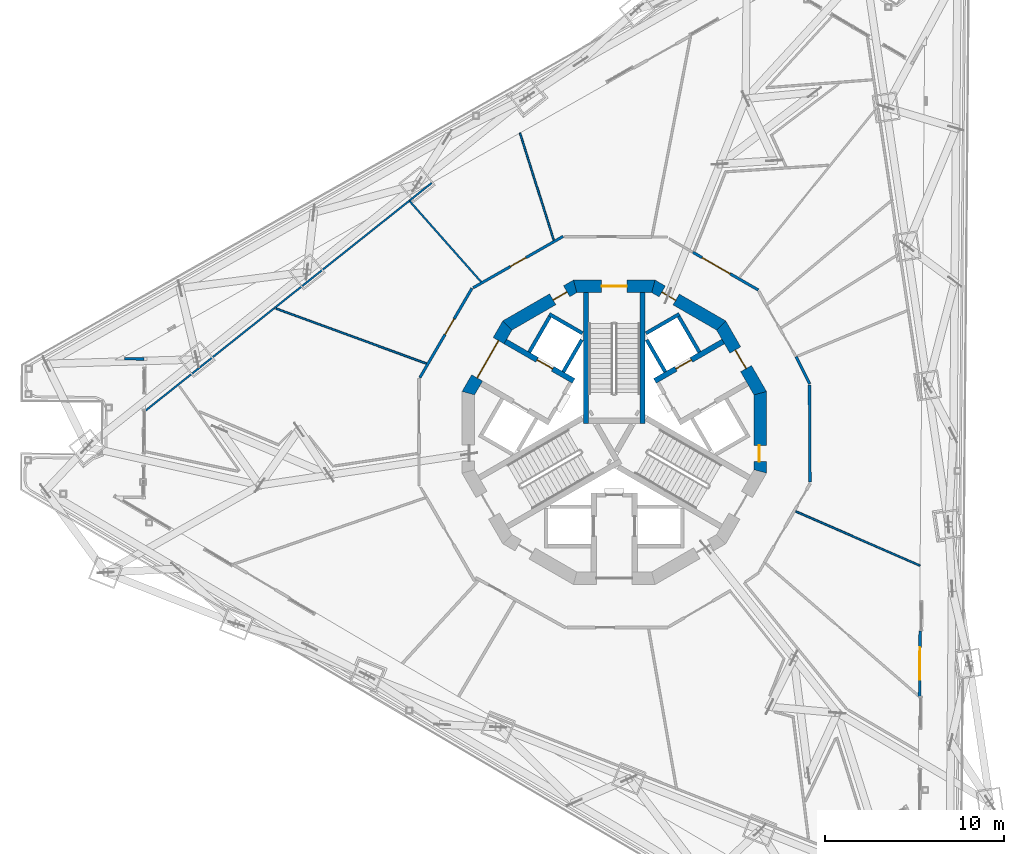
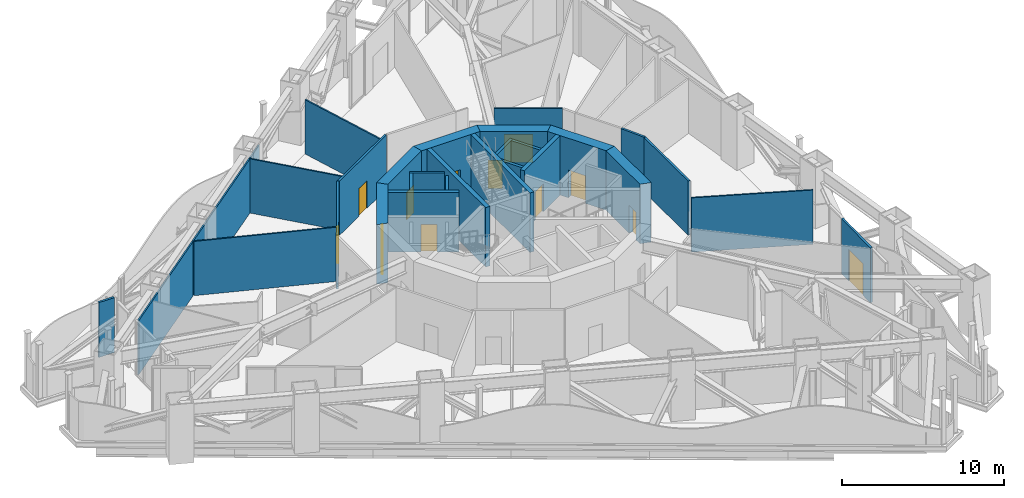
# One storey, part 14 of 27: 30 walls, 12 doors, 12 openings.
"""IFC4 building model written with IfcOpenShell, lengths in metres."""

from ifc_helpers import new_model, si_unit, direction, frame, frame_2d, origin, place, context, subcontext, project, spatial, polyline, rectangle, outline, extrude, material, layer, layer_set, type_object, element, fill, save


model = new_model("IFC4")

# Units and contexts
model_context = context("Model", 3, precision=1e-05, world=origin(), true_north=direction((0.0, 1.0)))
body_context = subcontext(model_context, "Body", "Model", "MODEL_VIEW")
ifc_project = project(units=[si_unit("LENGTHUNIT", "METRE"), si_unit("AREAUNIT", "SQUARE_METRE"), si_unit("VOLUMEUNIT", "CUBIC_METRE"), si_unit("PLANEANGLEUNIT", "RADIAN"), si_unit("MASSUNIT", "GRAM", prefix="KILO")], contexts=[model_context])

# Site, building, storey
site_placement = place(None, origin())
site = spatial("IfcSite", under=ifc_project, at=site_placement, CompositionType="ELEMENT")
building_placement = place(site_placement, origin())
building = spatial("IfcBuilding", under=site, at=building_placement, Name="Trine Commons Tower", CompositionType="ELEMENT")
storey_placement = place(building_placement, frame((0.0, 0.0, 193.5)))
storey = spatial("IfcBuildingStorey", under=building, at=storey_placement, Name="L50", CompositionType="ELEMENT", Elevation=193.5)

# Wall, opening, door
ifc_material_1 = material(Name="Plasterboard on steel stud", Category="steel")
ifc_layer_1 = layer(ifc_material_1, 0.14990234375)
ifc_layer_set_1 = layer_set([ifc_layer_1], Name="Plasterboard on steel stud")
wall_type_1 = type_object("IfcWallType", Name="Compartment wall 150 mm, EI 60", PredefinedType="PARTITIONING", material=ifc_layer_set_1)
wall_1_placement = place(storey_placement, frame((69.144775390625, 65.54931640625, 0.0), z_axis=(0.0, 0.0, 1.0), x_axis=(0.503808022723, 0.863815649453, 0.0)))
wall_1 = element("IfcWall", 1, at=wall_1_placement, inside=storey, type_object=wall_type_1, Name="Partition A50017", PredefinedType="PARTITIONING", context=body_context, shape_type="SweptSolid", body=[
    extrude(rectangle(XDim=5.78271484375, YDim=0.14990234375, at=frame_2d((2.891357421875, 0.0))), origin(), (0.0, 0.0, 1.0), 4.10009765625),
])
opening_1_placement = place(wall_1_placement, frame((2.795166015625, 0.0, 0.0)))
opening_1 = element("IfcOpeningElement", 2, at=opening_1_placement, cuts=wall_1, Name="Opening D-A5002", PredefinedType="OPENING", context=body_context, shape_type="SweptSolid", body=[
    extrude(rectangle(XDim=1.0, YDim=2.10009765625, at=frame_2d((0.5, 1.050048828125))), frame((0.0, 0.0849609375, 0.0), z_axis=(0.0, -1.0, 0.0), x_axis=(1.0, 0.0, 0.0)), (0.0, 0.0, 1.0), 0.169921875),
])
ifc_material_2 = material(Name="Timber fire door set", Category="wood")
door_type_1 = type_object("IfcDoorType", Name="Single swing door 1000x2100, FD30S", OperationType="SINGLE_SWING_LEFT", PredefinedType="DOOR", material=ifc_material_2)
door_1_placement = place(opening_1_placement, origin())
door_1 = element("IfcDoor", 3, at=door_1_placement, inside=storey, type_object=door_type_1, Name="Door D-A5002", OperationType="SINGLE_SWING_LEFT", OverallHeight=2.10009765625, OverallWidth=1.0, PredefinedType="DOOR", context=body_context, shape_type="SweptSolid", body=[
    extrude(rectangle(XDim=1.0, YDim=2.10009765625, at=frame_2d((0.5, 1.050048828125))), frame((0.0, 0.02490234375, 0.0), z_axis=(0.0, -1.0, 0.0), x_axis=(1.0, 0.0, 0.0)), (0.0, 0.0, 1.0), 0.050048828125),
])
fill(opening_1, door_1)

wall_2_placement = place(storey_placement, frame((72.123779296875, 70.568359375, 0.0), z_axis=(0.0, 0.0, 1.0), x_axis=(0.868204167493, 0.496207137743, 0.0)))
wall_2 = element("IfcWall", 4, at=wall_2_placement, inside=storey, type_object=wall_type_1, Name="Partition A50021", PredefinedType="PARTITIONING", context=body_context, shape_type="SweptSolid", body=[
    extrude(rectangle(XDim=5.78271484375, YDim=0.14990234375, at=frame_2d((2.891357421875, 0.0))), origin(), (0.0, 0.0, 1.0), 4.10009765625),
])
opening_2_placement = place(wall_2_placement, frame((2.38623046875, 0.0, 0.0)))
opening_2 = element("IfcOpeningElement", 5, at=opening_2_placement, cuts=wall_2, Name="Opening D-A5005", PredefinedType="OPENING", context=body_context, shape_type="SweptSolid", body=[
    extrude(rectangle(XDim=1.0, YDim=2.10009765625, at=frame_2d((0.5, 1.050048828125))), frame((0.0, 0.0849609375, 0.0), z_axis=(0.0, -1.0, 0.0), x_axis=(1.0, 0.0, 0.0)), (0.0, 0.0, 1.0), 0.169921875),
])
door_2_placement = place(opening_2_placement, origin())
door_2 = element("IfcDoor", 6, at=door_2_placement, inside=storey, type_object=door_type_1, Name="Door D-A5005", OperationType="SINGLE_SWING_LEFT", OverallHeight=2.10009765625, OverallWidth=1.0, PredefinedType="DOOR", context=body_context, shape_type="SweptSolid", body=[
    extrude(rectangle(XDim=1.0, YDim=2.10009765625, at=frame_2d((0.5, 1.050048828125))), frame((0.0, 0.02490234375, 0.0), z_axis=(0.0, -1.0, 0.0), x_axis=(1.0, 0.0, 0.0)), (0.0, 0.0, 1.0), 0.050048828125),
])
fill(opening_2, door_2)

wall_3_placement = place(storey_placement, frame((88.04443359375, 70.44189453125, 0.0), z_axis=(0.0, 0.0, 1.0), x_axis=(-0.866009274789, 0.500027935199, 0.0)))
wall_3 = element("IfcWall", 7, at=wall_3_placement, inside=storey, type_object=wall_type_1, Name="Partition A50033", PredefinedType="PARTITIONING", context=body_context, shape_type="SweptSolid", body=[
    extrude(rectangle(XDim=4.219970703125, YDim=0.14990234375, at=frame_2d((2.10986328125, 0.0))), origin(), (0.0, 0.0, 1.0), 4.10009765625),
])
opening_3_placement = place(wall_3_placement, frame((1.822021484375, 0.0, 0.0)))
opening_3 = element("IfcOpeningElement", 8, at=opening_3_placement, cuts=wall_3, Name="Opening D-A5009", PredefinedType="OPENING", context=body_context, shape_type="SweptSolid", body=[
    extrude(rectangle(XDim=1.800048828125, YDim=2.10009765625, at=frame_2d((0.89990234375, 1.050048828125))), frame((0.0, 0.0849609375, 0.0), z_axis=(0.0, -1.0, 0.0), x_axis=(1.0, 0.0, 0.0)), (0.0, 0.0, 1.0), 0.169921875),
])
door_type_2 = type_object("IfcDoorType", Name="Double swing door 1800x2100, FD30S", OperationType="DOUBLE_DOOR_DOUBLE_SWING", PredefinedType="DOOR", material=ifc_material_2)
door_3_placement = place(opening_3_placement, origin())
door_3 = element("IfcDoor", 9, at=door_3_placement, inside=storey, type_object=door_type_2, Name="Door D-A5009", OperationType="DOUBLE_DOOR_DOUBLE_SWING", OverallHeight=2.10009765625, OverallWidth=1.800048828125, PredefinedType="DOOR", context=body_context, shape_type="SweptSolid", body=[
    extrude(rectangle(XDim=1.800048828125, YDim=2.10009765625, at=frame_2d((0.89990234375, 1.050048828125))), frame((0.0, 0.02490234375, 0.0), z_axis=(0.0, -1.0, 0.0), x_axis=(1.0, 0.0, 0.0)), (0.0, 0.0, 1.0), 0.050048828125),
])
fill(opening_3, door_3)

# Walls
wall_4_placement = place(storey_placement, frame((90.15185546875, 66.716796875, 0.0), z_axis=(0.0, 0.0, 1.0), x_axis=(0.450392730838, -0.892830548317, 0.0)))
element("IfcWall", 10, at=wall_4_placement, inside=storey, type_object=wall_type_1, Name="Partition A50056", PredefinedType="PARTITIONING", context=body_context, shape_type="SweptSolid", body=[
    extrude(rectangle(XDim=1.68798828125, YDim=0.14990234375, at=frame_2d((0.843994140625, 0.0))), origin(), (0.0, 0.0, 1.0), 4.10009765625),
])
wall_5_placement = place(storey_placement, frame((90.925537109375, 59.713134765625, 0.0), z_axis=(0.0, 0.0, 1.0), x_axis=(-0.004677890522, 0.99998905861, 0.0)))
element("IfcWall", 11, at=wall_5_placement, inside=storey, type_object=wall_type_1, Name="Partition A50058", PredefinedType="PARTITIONING", context=body_context, shape_type="SweptSolid", body=[
    extrude(rectangle(XDim=5.427734375, YDim=0.14990234375, at=frame_2d((2.7138671875, 0.0))), origin(), (0.0, 0.0, 1.0), 4.10009765625),
])

# Wall, opening, door
ifc_material_3 = material(Name="Aluminium-framed insulated wall panel", Category="aluminium")
ifc_layer_2 = layer(ifc_material_3, 0.14990234375)
ifc_layer_set_2 = layer_set([ifc_layer_2], Name="Aluminium-framed insulated wall panel")
wall_type_2 = type_object("IfcWallType", Name="Glazed entrance wall 150, EI 60", PredefinedType="SOLIDWALL", material=ifc_layer_set_2)
wall_6_placement = place(storey_placement, frame((97.076416015625, 51.40869140625, 0.0), z_axis=(0.0, 0.0, 1.0), x_axis=(-0.008702308036, -0.999962134201, 0.0)))
wall_6 = element("IfcWall", 12, at=wall_6_placement, inside=storey, type_object=wall_type_2, Name="Glazed entrance wall L50 F2 10", PredefinedType="SOLIDWALL", context=body_context, shape_type="SweptSolid", body=[
    extrude(rectangle(XDim=3.647216796875, YDim=0.14990234375, at=frame_2d((1.82373046875, 0.0))), origin(), (0.0, 0.0, 1.0), 4.14990234375),
])
opening_4_placement = place(wall_6_placement, frame((0.923583984375, 0.0, 0.0)))
opening_4 = element("IfcOpeningElement", 13, at=opening_4_placement, cuts=wall_6, Name="Opening SD-L50-F2-10", PredefinedType="OPENING", context=body_context, shape_type="SweptSolid", body=[
    extrude(rectangle(XDim=1.800048828125, YDim=2.39990234375, at=frame_2d((0.89990234375, 1.199951171875))), frame((0.0, 0.0849609375, 0.0), z_axis=(0.0, -1.0, 0.0), x_axis=(1.0, 0.0, 0.0)), (0.0, 0.0, 1.0), 0.169921875),
])
ifc_material_4 = material(Name="Anodised aluminium frame with double glazing", Category="aluminium")
door_type_3 = type_object("IfcDoorType", Name="Sliding double door 1800x2400", OperationType="DOUBLE_DOOR_SLIDING", PredefinedType="DOOR", material=ifc_material_4)
door_4_placement = place(opening_4_placement, origin())
door_4 = element("IfcDoor", 14, at=door_4_placement, inside=storey, type_object=door_type_3, Name="Loggia door L50 F2 10", OperationType="DOUBLE_DOOR_SLIDING", OverallHeight=2.39990234375, OverallWidth=1.800048828125, PredefinedType="DOOR", context=body_context, shape_type="SweptSolid", body=[
    extrude(rectangle(XDim=1.800048828125, YDim=2.39990234375, at=frame_2d((0.89990234375, 1.199951171875))), frame((0.0, 0.02490234375, 0.0), z_axis=(0.0, -1.0, 0.0), x_axis=(1.0, 0.0, 0.0)), (0.0, 0.0, 1.0), 0.050048828125),
])
fill(opening_4, door_4)

# Walls
ifc_layer_3 = layer(ifc_material_3, 0.14990234375)
ifc_layer_set_3 = layer_set([ifc_layer_3], Name="Aluminium-framed insulated wall panel")
wall_type_3 = type_object("IfcWallType", Name="Glazed frame wall 150, EI 60", PredefinedType="SOLIDWALL", material=ifc_layer_set_3)
wall_7_placement = place(storey_placement, frame((53.859619140625, 66.59326171875, 0.0), z_axis=(0.0, 0.0, 1.0), x_axis=(-0.999962043845, 0.008712684354, 0.0)))
element("IfcWall", 15, at=wall_7_placement, inside=storey, type_object=wall_type_3, Name="Glazed frame wall L50 R3", PredefinedType="SOLIDWALL", context=body_context, shape_type="SweptSolid", body=[
    extrude(outline(polyline([(0.110107421875, 0.074951171875), (0.110107421875, -0.074951171875), (1.19580078125, -0.074951171875), (1.19580078125, 0.074951171875), (0.110107421875, 0.074951171875)])), origin(), (0.0, 0.0, 1.0), 4.14990234375),
])
ifc_layer_4 = layer(ifc_material_1, 0.10009765625)
ifc_layer_set_4 = layer_set([ifc_layer_4], Name="Plasterboard on steel stud")
wall_type_4 = type_object("IfcWallType", Name="Partition wall 100 mm stud, not rated", PredefinedType="PARTITIONING", material=ifc_layer_set_4)
wall_8_placement = place(storey_placement, frame((53.836669921875, 63.71826171875, 0.0), z_axis=(0.0, 0.0, 1.0), x_axis=(0.782602525116, 0.622521716635, 0.0)))
element("IfcWall", 16, at=wall_8_placement, inside=storey, type_object=wall_type_4, Name="Partition A50002", PredefinedType="PARTITIONING", context=body_context, shape_type="SweptSolid", body=[
    extrude(rectangle(XDim=9.188720703125, YDim=0.10009765625, at=frame_2d((4.59423828125, 0.0))), origin(), (0.0, 0.0, 1.0), 4.10009765625),
])
wall_9_placement = place(storey_placement, frame((61.11328125, 69.4091796875, 0.0), z_axis=(0.0, 0.0, 1.0), x_axis=(0.939128212497, -0.343566879213, 0.0)))
element("IfcWall", 17, at=wall_9_placement, inside=storey, type_object=wall_type_4, Name="Partition A50006", PredefinedType="PARTITIONING", context=body_context, shape_type="SweptSolid", body=[
    extrude(rectangle(XDim=8.960693359375, YDim=0.10009765625, at=frame_2d((4.48046875, 0.0))), origin(), (0.0, 0.0, 1.0), 4.10009765625),
])
wall_10_placement = place(storey_placement, frame((61.03125, 69.441162109375, 0.0), z_axis=(0.0, 0.0, 1.0), x_axis=(0.782602460015, 0.622521798477, 0.0)))
element("IfcWall", 18, at=wall_10_placement, inside=storey, type_object=wall_type_4, Name="Partition A50007", PredefinedType="PARTITIONING", context=body_context, shape_type="SweptSolid", body=[
    extrude(rectangle(XDim=9.6142578125, YDim=0.10009765625, at=frame_2d((4.80712890625, 0.0))), origin(), (0.0, 0.0, 1.0), 4.10009765625),
])
wall_11_placement = place(storey_placement, frame((68.592041015625, 75.387939453125, 0.0), z_axis=(0.0, 0.0, 1.0), x_axis=(0.662817003466, -0.748781423324, 0.0)))
element("IfcWall", 19, at=wall_11_placement, inside=storey, type_object=wall_type_4, Name="Partition A50012", PredefinedType="PARTITIONING", context=body_context, shape_type="SweptSolid", body=[
    extrude(rectangle(XDim=6.0009765625, YDim=0.10009765625, at=frame_2d((3.00048828125, 0.0))), origin(), (0.0, 0.0, 1.0), 4.10009765625),
])
wall_12_placement = place(storey_placement, frame((68.55859375, 75.4287109375, 0.0), z_axis=(0.0, 0.0, 1.0), x_axis=(0.782616336967, 0.622504352685, 0.0)))
element("IfcWall", 20, at=wall_12_placement, inside=storey, type_object=wall_type_4, Name="Partition A50013", PredefinedType="PARTITIONING", context=body_context, shape_type="SweptSolid", body=[
    extrude(rectangle(XDim=1.591796875, YDim=0.10009765625, at=frame_2d((0.7958984375, 0.0))), origin(), (0.0, 0.0, 1.0), 4.10009765625),
])
wall_13_placement = place(storey_placement, frame((74.735595703125, 79.211669921875, 0.0), z_axis=(0.0, 0.0, 1.0), x_axis=(0.300467657101, -0.953792004074, 0.0)))
element("IfcWall", 21, at=wall_13_placement, inside=storey, type_object=wall_type_4, Name="Partition A50023", PredefinedType="PARTITIONING", context=body_context, shape_type="SweptSolid", body=[
    extrude(rectangle(XDim=6.267822265625, YDim=0.10009765625, at=frame_2d((3.1337890625, 0.0))), origin(), (0.0, 0.0, 1.0), 4.10009765625),
])
wall_14_placement = place(storey_placement, frame((90.129638671875, 58.08349609375, 0.0), z_axis=(0.0, 0.0, 1.0), x_axis=(0.916664782123, -0.399656949415, 0.0)))
element("IfcWall", 22, at=wall_14_placement, inside=storey, type_object=wall_type_4, Name="Partition A50055", PredefinedType="PARTITIONING", context=body_context, shape_type="SweptSolid", body=[
    extrude(rectangle(XDim=7.574951171875, YDim=0.10009765625, at=frame_2d((3.78759765625, 0.0))), origin(), (0.0, 0.0, 1.0), 4.10009765625),
])

# Wall, opening, door
ifc_material_5 = material(Name="Concrete C60/75", Category="concrete")
ifc_layer_5 = layer(ifc_material_5, 0.300048828125)
ifc_layer_set_5 = layer_set([ifc_layer_5], Name="Concrete C60/75")
wall_type_5 = type_object("IfcWallType", Name="RC shear wall 300 mm, C60/75", PredefinedType="SHEAR", material=ifc_layer_set_5)
wall_15_placement = place(storey_placement, frame((77.73095703125, 65.368896484375, 0.0), z_axis=(0.0, 0.0, 1.0), x_axis=(-0.866035918664, 0.499981787252, 0.0)))
wall_15 = element("IfcWall", 23, at=wall_15_placement, inside=storey, type_object=wall_type_5, Name="Core cross wall SWC-02 L50", PredefinedType="SHEAR", context=body_context, shape_type="SweptSolid", body=[
    extrude(rectangle(XDim=4.400634765625, YDim=0.300048828125, at=frame_2d((2.2001953125, 0.0))), origin(), (0.0, 0.0, 1.0), 4.5),
])
opening_5_placement = place(wall_15_placement, frame((1.3505859375, 0.0, 0.0)))
opening_5 = element("IfcOpeningElement", 24, at=opening_5_placement, cuts=wall_15, Name="Opening LD8", PredefinedType="OPENING", context=body_context, shape_type="SweptSolid", body=[
    extrude(rectangle(XDim=1.0, YDim=2.10009765625, at=frame_2d((0.5, 1.050048828125))), frame((0.0, 0.159912109375, 0.0), z_axis=(0.0, -1.0, 0.0), x_axis=(1.0, 0.0, 0.0)), (0.0, 0.0, 1.0), 0.320068359375),
])
ifc_material_6 = material(Name="Stainless steel sliding door leaves", Category="steel")
door_type_4 = type_object("IfcDoorType", Name="Lift landing door, centre-opening sliding 1000 x 2100, FD90", OperationType="DOUBLE_DOOR_SLIDING", PredefinedType="DOOR", material=ifc_material_6)
door_5_placement = place(opening_5_placement, origin())
door_5 = element("IfcDoor", 25, at=door_5_placement, inside=storey, type_object=door_type_4, Name="Lift landing door HR4 L50", OperationType="DOUBLE_DOOR_SLIDING", OverallHeight=2.10009765625, OverallWidth=1.0, PredefinedType="DOOR", context=body_context, shape_type="SweptSolid", body=[
    extrude(rectangle(XDim=1.0, YDim=2.10009765625, at=frame_2d((0.5, 1.050048828125))), frame((0.0, 0.02490234375, 0.0), z_axis=(0.0, -1.0, 0.0), x_axis=(1.0, 0.0, 0.0)), (0.0, 0.0, 1.0), 0.050048828125),
])
fill(opening_5, door_5)

wall_16_placement = place(storey_placement, frame((82.26904296875, 65.368896484375, 0.0), z_axis=(0.0, 0.0, 1.0), x_axis=(0.866035918664, 0.499981787252, 0.0)))
wall_16 = element("IfcWall", 26, at=wall_16_placement, inside=storey, type_object=wall_type_5, Name="Core cross wall SWC-05 L50", PredefinedType="SHEAR", context=body_context, shape_type="SweptSolid", body=[
    extrude(rectangle(XDim=4.400634765625, YDim=0.300048828125, at=frame_2d((2.2001953125, 0.0))), origin(), (0.0, 0.0, 1.0), 4.5),
])
opening_6_placement = place(wall_16_placement, frame((1.3505859375, 0.0, 0.0)))
opening_6 = element("IfcOpeningElement", 27, at=opening_6_placement, cuts=wall_16, Name="Opening LD5", PredefinedType="OPENING", context=body_context, shape_type="SweptSolid", body=[
    extrude(rectangle(XDim=1.0, YDim=2.10009765625, at=frame_2d((0.5, 1.050048828125))), frame((0.0, 0.159912109375, 0.0), z_axis=(0.0, -1.0, 0.0), x_axis=(1.0, 0.0, 0.0)), (0.0, 0.0, 1.0), 0.320068359375),
])
door_6_placement = place(opening_6_placement, origin())
door_6 = element("IfcDoor", 28, at=door_6_placement, inside=storey, type_object=door_type_4, Name="Lift landing door HR1 L50", OperationType="DOUBLE_DOOR_SLIDING", OverallHeight=2.10009765625, OverallWidth=1.0, PredefinedType="DOOR", context=body_context, shape_type="SweptSolid", body=[
    extrude(rectangle(XDim=1.0, YDim=2.10009765625, at=frame_2d((0.5, 1.050048828125))), frame((0.0, 0.02490234375, 0.0), z_axis=(0.0, -1.0, 0.0), x_axis=(1.0, 0.0, 0.0)), (0.0, 0.0, 1.0), 0.050048828125),
])
fill(opening_6, door_6)

# Walls
for number, where, z_axis, x_axis, name in (
    (29, (78.425048828125, 63.0009765625, 0.0), (0.0, 0.0, 1.0), (0.0, 1.0, 0.0), "Core cross wall SWC-08 L50"),
    (30, (81.574951171875, 63.0009765625, 0.0), (0.0, 0.0, 1.0), (0.0, 1.0, 0.0), "Core cross wall SWC-17 L50"),
):
    element("IfcWall", number, at=place(storey_placement, frame(where, z_axis=z_axis, x_axis=x_axis)), inside=storey, type_object=wall_type_5, Name=name, PredefinedType="SHEAR", context=body_context, shape_type="SweptSolid", body=[
        extrude(rectangle(XDim=7.299072265625, YDim=0.300048828125, at=frame_2d((3.6494140625, 0.0))), origin(), (0.0, 0.0, 1.0), 4.5),
    ])

# Wall, opening, door
ifc_layer_6 = layer(ifc_material_5, 0.699951171875)
ifc_layer_set_6 = layer_set([ifc_layer_6], Name="Concrete C60/75")
wall_type_6 = type_object("IfcWallType", Name="RC shear wall 700 mm, C60/75", PredefinedType="SHEAR", material=ifc_layer_set_6)
wall_17_placement = place(storey_placement, frame((88.150146484375, 60.222412109375, 0.0), z_axis=(0.0, 0.0, 1.0), x_axis=(0.0, 1.0, 0.0)))
wall_17 = element("IfcWall", 31, at=wall_17_placement, inside=storey, type_object=wall_type_6, Name="Core wall CWF-01 L50", PredefinedType="SHEAR", context=body_context, shape_type="SweptSolid", body=[
    extrude(outline(polyline([(0.0, -0.35009765625), (4.55517578125, -0.35009765625), (4.36767578125, 0.35009765625), (0.1875, 0.35009765625), (0.0, -0.35009765625)])), origin(), (0.0, 0.0, 1.0), 4.5),
])
opening_7_placement = place(wall_17_placement, frame((0.6416015625, 0.0, 0.0)))
opening_7 = element("IfcOpeningElement", 32, at=opening_7_placement, cuts=wall_17, Name="Opening K14.15", PredefinedType="OPENING", context=body_context, shape_type="SweptSolid", body=[
    extrude(rectangle(XDim=0.89990234375, YDim=2.10009765625, at=frame_2d((0.449951171875, 1.050048828125))), frame((0.0, 0.35986328125, 0.0), z_axis=(0.0, -1.0, 0.0), x_axis=(1.0, 0.0, 0.0)), (0.0, 0.0, 1.0), 0.719970703125),
])
ifc_material_7 = material(Name="Steel door leaf, fire-rated", Category="steel")
door_type_5 = type_object("IfcDoorType", Name="Core room door, single leaf 900 x 2100, FD30S", OperationType="SINGLE_SWING_LEFT", PredefinedType="DOOR", material=ifc_material_7)
door_7_placement = place(opening_7_placement, origin())
door_7 = element("IfcDoor", 33, at=door_7_placement, inside=storey, type_object=door_type_5, Name="Door to Accessible WC L50", OperationType="SINGLE_SWING_LEFT", OverallHeight=2.10009765625, OverallWidth=0.89990234375, PredefinedType="DOOR", context=body_context, shape_type="SweptSolid", body=[
    extrude(rectangle(XDim=0.89990234375, YDim=2.10009765625, at=frame_2d((0.449951171875, 1.050048828125))), frame((0.0, 0.0751953125, 0.0), z_axis=(0.0, -1.0, 0.0), x_axis=(1.0, 0.0, 0.0)), (0.0, 0.0, 1.0), 0.050048828125),
])
fill(opening_7, door_7)

wall_18_placement = place(storey_placement, frame((88.197021484375, 64.6025390625, 0.0), z_axis=(0.0, 0.0, 1.0), x_axis=(-0.499983800959, 0.866034756103, 0.0)))
wall_18 = element("IfcWall", 34, at=wall_18_placement, inside=storey, type_object=wall_type_6, Name="Core wall CWF-02 L50", PredefinedType="SHEAR", context=body_context, shape_type="SweptSolid", body=[
    extrude(outline(polyline([(0.0, -0.35009765625), (4.55517578125, -0.35009765625), (4.36767578125, 0.35009765625), (0.1875, 0.35009765625), (0.0, -0.35009765625)])), origin(), (0.0, 0.0, 1.0), 4.5),
])
opening_8_placement = place(wall_18_placement, frame((1.677490234375, 0.0, 0.0)))
opening_8 = element("IfcOpeningElement", 35, at=opening_8_placement, cuts=wall_18, Name="Opening K14.04", PredefinedType="OPENING", context=body_context, shape_type="SweptSolid", body=[
    extrude(rectangle(XDim=1.199951171875, YDim=2.10009765625, at=frame_2d((0.60009765625, 1.050048828125))), frame((0.0, 0.35986328125, 0.0), z_axis=(0.0, -1.0, 0.0), x_axis=(1.0, 0.0, 0.0)), (0.0, 0.0, 1.0), 0.719970703125),
])
ifc_material_8 = material(Name="Steel door leaves, fire-rated", Category="steel")
door_type_6 = type_object("IfcDoorType", Name="Lobby door, double leaf 1200 x 2100, FD60", OperationType="DOUBLE_DOOR_SINGLE_SWING", PredefinedType="DOOR", material=ifc_material_8)
door_8_placement = place(opening_8_placement, origin())
door_8 = element("IfcDoor", 36, at=door_8_placement, inside=storey, type_object=door_type_6, Name="Lobby door, Passenger lift lobby A L50", OperationType="DOUBLE_DOOR_SINGLE_SWING", OverallHeight=2.10009765625, OverallWidth=1.199951171875, PredefinedType="DOOR", context=body_context, shape_type="SweptSolid", body=[
    extrude(rectangle(XDim=1.199951171875, YDim=2.10009765625, at=frame_2d((0.60009765625, 1.050048828125))), frame((0.0, 0.02490234375, 0.0), z_axis=(0.0, -1.0, 0.0), x_axis=(1.0, 0.0, 0.0)), (0.0, 0.0, 1.0), 0.050048828125),
])
fill(opening_8, door_8)

wall_19_placement = place(storey_placement, frame((86.047607421875, 68.41943359375, 0.0), z_axis=(0.0, 0.0, 1.0), x_axis=(-0.866034756103, 0.499983800959, 0.0)))
wall_19 = element("IfcWall", 37, at=wall_19_placement, inside=storey, type_object=wall_type_6, Name="Core wall CWF-03 L50", PredefinedType="SHEAR", context=body_context, shape_type="SweptSolid", body=[
    extrude(outline(polyline([(0.0, -0.35009765625), (4.55517578125, -0.35009765625), (4.36767578125, 0.35009765625), (0.1875, 0.35009765625), (0.0, -0.35009765625)])), origin(), (0.0, 0.0, 1.0), 4.5),
])
opening_9_placement = place(wall_19_placement, frame((2.990966796875, 0.0, 0.0)))
opening_9 = element("IfcOpeningElement", 38, at=opening_9_placement, cuts=wall_19, Name="Opening K14.10", PredefinedType="OPENING", context=body_context, shape_type="SweptSolid", body=[
    extrude(rectangle(XDim=0.89990234375, YDim=2.10009765625, at=frame_2d((0.449951171875, 1.050048828125))), frame((0.0, 0.35986328125, 0.0), z_axis=(0.0, -1.0, 0.0), x_axis=(1.0, 0.0, 0.0)), (0.0, 0.0, 1.0), 0.719970703125),
])
door_9_placement = place(opening_9_placement, origin())
door_9 = element("IfcDoor", 39, at=door_9_placement, inside=storey, type_object=door_type_5, Name="Door to Core WC L50", OperationType="SINGLE_SWING_RIGHT", OverallHeight=2.10009765625, OverallWidth=0.89990234375, PredefinedType="DOOR", context=body_context, shape_type="SweptSolid", body=[
    extrude(rectangle(XDim=0.89990234375, YDim=2.10009765625, at=frame_2d((0.449951171875, 1.050048828125))), frame((0.0, 0.0751953125, 0.0), z_axis=(0.0, -1.0, 0.0), x_axis=(1.0, 0.0, 0.0)), (0.0, 0.0, 1.0), 0.050048828125),
])
fill(opening_9, door_9)

wall_20_placement = place(storey_placement, frame((82.277587890625, 70.650146484375, 0.0), z_axis=(0.0, 0.0, 1.0), x_axis=(-1.0, 0.0, 0.0)))
wall_20 = element("IfcWall", 40, at=wall_20_placement, inside=storey, type_object=wall_type_6, Name="Core wall CWF-04 L50", PredefinedType="SHEAR", context=body_context, shape_type="SweptSolid", body=[
    extrude(outline(polyline([(0.0, -0.35009765625), (4.55517578125, -0.35009765625), (4.36767578125, 0.35009765625), (0.1875, 0.35009765625), (0.0, -0.35009765625)])), origin(), (0.0, 0.0, 1.0), 4.5),
])
opening_10_placement = place(wall_20_placement, frame((1.57763671875, 0.0, 0.0)))
opening_10 = element("IfcOpeningElement", 41, at=opening_10_placement, cuts=wall_20, Name="Opening K14.01", PredefinedType="OPENING", context=body_context, shape_type="SweptSolid", body=[
    extrude(rectangle(XDim=1.39990234375, YDim=2.10009765625, at=frame_2d((0.699951171875, 1.050048828125))), frame((0.0, 0.35986328125, 0.0), z_axis=(0.0, -1.0, 0.0), x_axis=(1.0, 0.0, 0.0)), (0.0, 0.0, 1.0), 0.719970703125),
])
door_type_7 = type_object("IfcDoorType", Name="Stair door, double leaf 1400 x 2100, FD90", OperationType="DOUBLE_DOOR_SINGLE_SWING", PredefinedType="DOOR", material=ifc_material_8)
door_10_placement = place(opening_10_placement, origin())
door_10 = element("IfcDoor", 42, at=door_10_placement, inside=storey, type_object=door_type_7, Name="Stair door to Exit stair ST1C L50", OperationType="DOUBLE_DOOR_SINGLE_SWING", OverallHeight=2.10009765625, OverallWidth=1.39990234375, PredefinedType="DOOR", context=body_context, shape_type="SweptSolid", body=[
    extrude(rectangle(XDim=1.39990234375, YDim=2.10009765625, at=frame_2d((0.699951171875, 1.050048828125))), frame((0.0, 0.02490234375, 0.0), z_axis=(0.0, -1.0, 0.0), x_axis=(1.0, 0.0, 0.0)), (0.0, 0.0, 1.0), 0.050048828125),
])
fill(opening_10, door_10)

wall_21_placement = place(storey_placement, frame((77.8974609375, 70.697021484375, 0.0), z_axis=(0.0, 0.0, 1.0), x_axis=(-0.866034756103, -0.499983800959, 0.0)))
wall_21 = element("IfcWall", 43, at=wall_21_placement, inside=storey, type_object=wall_type_6, Name="Core wall CWF-05 L50", PredefinedType="SHEAR", context=body_context, shape_type="SweptSolid", body=[
    extrude(outline(polyline([(0.0, -0.35009765625), (4.55517578125, -0.35009765625), (4.36767578125, 0.35009765625), (0.1875, 0.35009765625), (0.0, -0.35009765625)])), origin(), (0.0, 0.0, 1.0), 4.5),
])
opening_11_placement = place(wall_21_placement, frame((0.641845703125, 0.0, 0.0)))
opening_11 = element("IfcOpeningElement", 44, at=opening_11_placement, cuts=wall_21, Name="Opening K14.11", PredefinedType="OPENING", context=body_context, shape_type="SweptSolid", body=[
    extrude(rectangle(XDim=0.89990234375, YDim=2.10009765625, at=frame_2d((0.449951171875, 1.050048828125))), frame((0.0, 0.35986328125, 0.0), z_axis=(0.0, -1.0, 0.0), x_axis=(1.0, 0.0, 0.0)), (0.0, 0.0, 1.0), 0.719970703125),
])
door_11_placement = place(opening_11_placement, origin())
door_11 = element("IfcDoor", 45, at=door_11_placement, inside=storey, type_object=door_type_5, Name="Door to Accessible WC L50", OperationType="SINGLE_SWING_LEFT", OverallHeight=2.10009765625, OverallWidth=0.89990234375, PredefinedType="DOOR", context=body_context, shape_type="SweptSolid", body=[
    extrude(rectangle(XDim=0.89990234375, YDim=2.10009765625, at=frame_2d((0.449951171875, 1.050048828125))), frame((0.0, 0.0751953125, 0.0), z_axis=(0.0, -1.0, 0.0), x_axis=(1.0, 0.0, 0.0)), (0.0, 0.0, 1.0), 0.050048828125),
])
fill(opening_11, door_11)

wall_22_placement = place(storey_placement, frame((74.08056640625, 68.547607421875, 0.0), z_axis=(0.0, 0.0, 1.0), x_axis=(-0.499983800959, -0.866034756103, 0.0)))
wall_22 = element("IfcWall", 46, at=wall_22_placement, inside=storey, type_object=wall_type_6, Name="Core wall CWF-06 L50", PredefinedType="SHEAR", context=body_context, shape_type="SweptSolid", body=[
    extrude(outline(polyline([(0.0, -0.35009765625), (4.55517578125, -0.35009765625), (4.36767578125, 0.35009765625), (0.1875, 0.35009765625), (0.0, -0.35009765625)])), origin(), (0.0, 0.0, 1.0), 4.5),
])
opening_12_placement = place(wall_22_placement, frame((1.077392578125, 0.0, 0.0)))
opening_12 = element("IfcOpeningElement", 47, at=opening_12_placement, cuts=wall_22, Name="Opening K14.06", PredefinedType="OPENING", context=body_context, shape_type="SweptSolid", body=[
    extrude(rectangle(XDim=2.39990234375, YDim=2.10009765625, at=frame_2d((1.199951171875, 1.050048828125))), frame((0.0, 0.35986328125, 0.0), z_axis=(0.0, -1.0, 0.0), x_axis=(1.0, 0.0, 0.0)), (0.0, 0.0, 1.0), 0.719970703125),
])
door_type_8 = type_object("IfcDoorType", Name="Lobby door, double leaf 2400 x 2100, FD60", OperationType="DOUBLE_DOOR_SINGLE_SWING", PredefinedType="DOOR", material=ifc_material_8)
door_12_placement = place(opening_12_placement, origin())
door_12 = element("IfcDoor", 48, at=door_12_placement, inside=storey, type_object=door_type_8, Name="Lobby door, Passenger lift lobby B L50", OperationType="DOUBLE_DOOR_SINGLE_SWING", OverallHeight=2.10009765625, OverallWidth=2.39990234375, PredefinedType="DOOR", context=body_context, shape_type="SweptSolid", body=[
    extrude(rectangle(XDim=2.39990234375, YDim=2.10009765625, at=frame_2d((1.199951171875, 1.050048828125))), frame((0.0, 0.02490234375, 0.0), z_axis=(0.0, -1.0, 0.0), x_axis=(1.0, 0.0, 0.0)), (0.0, 0.0, 1.0), 0.050048828125),
])
fill(opening_12, door_12)

# Walls
ifc_material_9 = material(Name="Fire-rated gypsum shaft wall system")
ifc_layer_7 = layer(ifc_material_9, 0.199951171875)
ifc_layer_set_7 = layer_set([ifc_layer_7], Name="Fire-rated gypsum shaft wall system")
wall_type_7 = type_object("IfcWallType", Name="Shaft wall 200 mm, EI 120", PredefinedType="PARTITIONING", material=ifc_layer_set_7)
wall_23_placement = place(storey_placement, frame((75.2509765625, 66.97412109375, 0.0), z_axis=(0.0, 0.0, 1.0), x_axis=(0.500136062276, 0.86594683394, 0.0)))
element("IfcWall", 49, at=wall_23_placement, inside=storey, type_object=wall_type_7, Name="Shaft wall L50", PredefinedType="PARTITIONING", context=body_context, shape_type="SweptSolid", body=[
    extrude(rectangle(XDim=2.299072265625, YDim=0.199951171875, at=frame_2d((1.1494140625, 0.0))), origin(), (0.0, 0.0, 1.0), 4.14990234375),
])
wall_24_placement = place(storey_placement, frame((77.156005859375, 65.8740234375, 0.0), z_axis=(0.0, 0.0, 1.0), x_axis=(0.499865770674, 0.866102887253, 0.0)))
element("IfcWall", 50, at=wall_24_placement, inside=storey, type_object=wall_type_7, Name="Shaft wall L50", PredefinedType="PARTITIONING", context=body_context, shape_type="SweptSolid", body=[
    extrude(rectangle(XDim=2.064453125, YDim=0.199951171875, at=frame_2d((1.0322265625, 0.0))), origin(), (0.0, 0.0, 1.0), 4.14990234375),
])
for number, where, z_axis, x_axis, name in (
    (51, (78.22509765625, 68.028076171875, 0.0), (0.0, 0.0, 1.0), (-0.866130725101, 0.499817533742, 0.0), "Shaft wall L50"),
    (52, (81.77490234375, 68.028076171875, 0.0), (0.0, 0.0, 1.0), (0.866130725101, 0.499817533742, 0.0), "Shaft wall L50"),
):
    element("IfcWall", number, at=place(storey_placement, frame(where, z_axis=z_axis, x_axis=x_axis)), inside=storey, type_object=wall_type_7, Name=name, PredefinedType="PARTITIONING", context=body_context, shape_type="SweptSolid", body=[
        extrude(rectangle(XDim=2.148681640625, YDim=0.199951171875, at=frame_2d((1.07421875, 0.0))), origin(), (0.0, 0.0, 1.0), 4.14990234375),
    ])
wall_25_placement = place(storey_placement, frame((82.843994140625, 65.8740234375, 0.0), z_axis=(0.0, 0.0, 1.0), x_axis=(-0.499865770674, 0.866102887253, 0.0)))
element("IfcWall", 53, at=wall_25_placement, inside=storey, type_object=wall_type_7, Name="Shaft wall L50", PredefinedType="PARTITIONING", context=body_context, shape_type="SweptSolid", body=[
    extrude(rectangle(XDim=2.064453125, YDim=0.199951171875, at=frame_2d((1.0322265625, 0.0))), origin(), (0.0, 0.0, 1.0), 4.14990234375),
])
wall_26_placement = place(storey_placement, frame((84.7490234375, 66.97412109375, 0.0), z_axis=(0.0, 0.0, 1.0), x_axis=(-0.500136062276, 0.86594683394, 0.0)))
element("IfcWall", 54, at=wall_26_placement, inside=storey, type_object=wall_type_7, Name="Shaft wall L50", PredefinedType="PARTITIONING", context=body_context, shape_type="SweptSolid", body=[
    extrude(rectangle(XDim=2.299072265625, YDim=0.199951171875, at=frame_2d((1.1494140625, 0.0))), origin(), (0.0, 0.0, 1.0), 4.14990234375),
])

save(model, "model.ifc")
